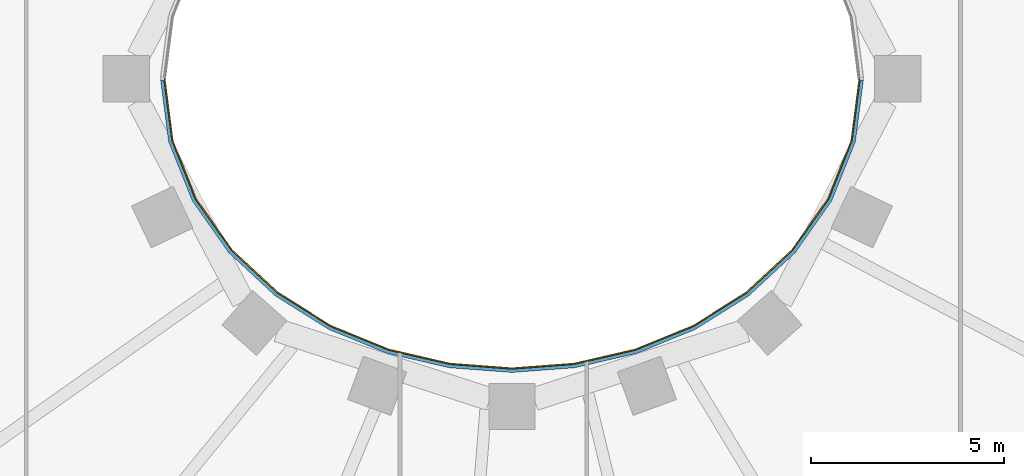
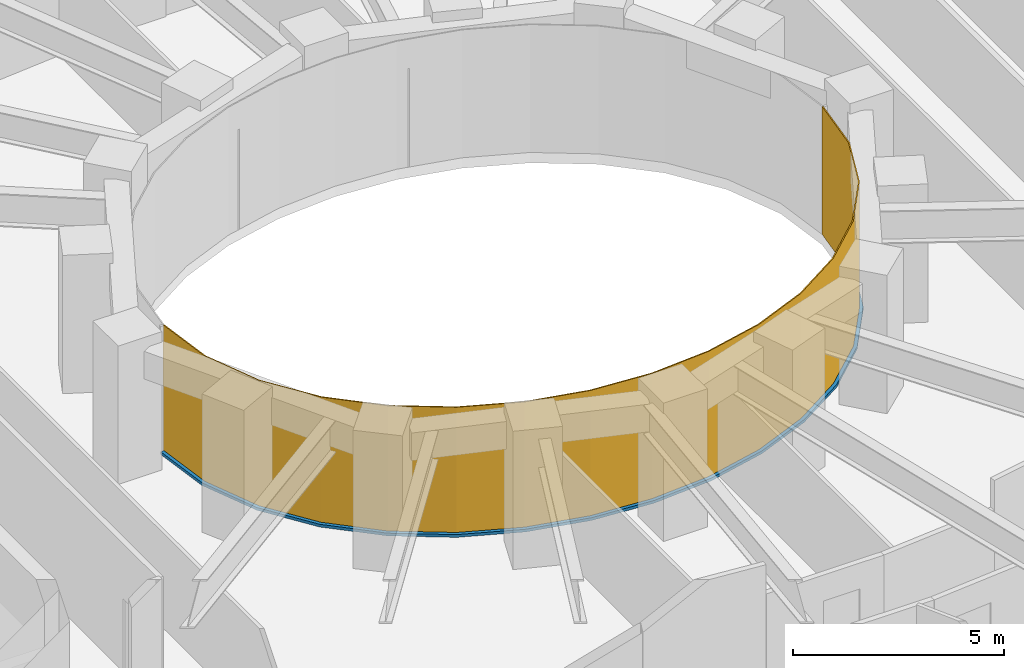
# One storey, part 11 of 17: 1 curtain wall, 1 member.
"""IFC4 building model written with IfcOpenShell, lengths in metres."""

from ifc_helpers import new_model, si_unit, direction, frame, origin, place, context, subcontext, project, spatial, polyline, outline, extrude, material, layer, layer_set, type_object, element, aggregate, save


model = new_model("IFC4")

# Units and contexts
model_context = context("Model", 3, precision=1e-05, world=origin(), true_north=direction((0.0, 1.0)))
body_context = subcontext(model_context, "Body", "Model", "MODEL_VIEW")
ifc_project = project(units=[si_unit("LENGTHUNIT", "METRE"), si_unit("AREAUNIT", "SQUARE_METRE"), si_unit("VOLUMEUNIT", "CUBIC_METRE"), si_unit("PLANEANGLEUNIT", "RADIAN"), si_unit("MASSUNIT", "GRAM", prefix="KILO")], contexts=[model_context])

# Member
ifc_material_1 = material(Name="Steel S355 fire-resisting frame", Category="steel")
member_type = type_object("IfcMemberType", Name="ENV-TRANSOM-W", PredefinedType="USERDEFINED", material=ifc_material_1)
site_placement = place(None, origin())
building_placement = place(site_placement, origin())
storey_placement = place(building_placement, frame((0.0, 0.0, 112.0)))
member_placement = place(storey_placement, origin())
member = element("IfcMember", 1, at=member_placement, type_object=member_type, Name="Transom W well 17-01", ObjectType="TRANSOM", PredefinedType="USERDEFINED", context=body_context, shape_type="SweptSolid", body=[
    extrude(outline(polyline([(-9.119384765625, -0.02783203125), (-8.910400390625, -1.63623046875), (-8.29833984375, -3.167236328125), (-7.35107421875, -4.5146484375), (-6.1455078125, -5.6337890625), (-4.75341796875, -6.50634765625), (-3.233642578125, -7.127685546875), (-1.635498046875, -7.498779296875), (0.0, -7.622314453125), (1.635498046875, -7.498779296875), (3.233642578125, -7.127685546875), (4.75341796875, -6.50634765625), (6.1455078125, -5.6337890625), (7.35107421875, -4.5146484375), (8.29833984375, -3.167236328125), (8.910400390625, -1.63623046875), (9.119384765625, -0.02783203125), (9.02880859375, -0.02783203125), (8.822509765625, -1.61328125), (8.21875, -3.124267578125), (7.282958984375, -4.455078125), (6.090576171875, -5.56201171875), (4.712158203125, -6.426025390625), (3.206298828125, -7.04150390625), (1.621826171875, -7.40966796875), (0.0, -7.531982421875), (-1.621826171875, -7.40966796875), (-3.206298828125, -7.04150390625), (-4.712158203125, -6.426025390625), (-6.090576171875, -5.56201171875), (-7.282958984375, -4.455078125), (-8.21875, -3.124267578125), (-8.822509765625, -1.61328125), (-9.02880859375, -0.02783203125), (-9.119384765625, -0.02783203125)])), origin(), (0.0, 0.0, 1.0), 0.080078125),
])

# Site, building, storey
site = spatial("IfcSite", under=ifc_project, at=site_placement, CompositionType="ELEMENT")
building = spatial("IfcBuilding", under=site, at=building_placement, Name="Noorbagh Ring Tower", CompositionType="ELEMENT")
storey = spatial("IfcBuildingStorey", under=building, at=storey_placement, Name="L25", CompositionType="ELEMENT", Elevation=112.0)

# Curtain wall
ifc_material_2 = material(Name="Glass fire-resisting E60 laminated", Category="glass")
ifc_layer = layer(ifc_material_2, 0.031982421875)
ifc_layer_set = layer_set([ifc_layer], Name="Glass fire-resisting E60 laminated")
curtain_wall_type = type_object("IfcCurtainWallType", Name="ENV-CW-W", PredefinedType="NOTDEFINED", material=ifc_layer_set)
curtain_wall_placement = place(storey_placement, origin())
curtain_wall = element("IfcCurtainWall", 2, at=curtain_wall_placement, inside=storey, type_object=curtain_wall_type, Name="Curtain wall W W17", PredefinedType="NOTDEFINED", context=body_context, shape_type="SweptSolid", body=[
    extrude(outline(polyline([(-9.0322265625, 0.0), (-8.822509765625, -1.61328125), (-8.21875, -3.124267578125), (-7.282958984375, -4.455078125), (-6.090576171875, -5.56201171875), (-4.712158203125, -6.426025390625), (-3.206298828125, -7.04150390625), (-1.621826171875, -7.40966796875), (0.0, -7.531982421875), (1.621826171875, -7.40966796875), (3.206298828125, -7.04150390625), (4.712158203125, -6.426025390625), (6.090576171875, -5.56201171875), (7.282958984375, -4.455078125), (8.21875, -3.124267578125), (8.822509765625, -1.61328125), (9.0322265625, 0.0), (9.0, 0.0), (8.79150390625, -1.605224609375), (8.1904296875, -3.10888671875), (7.2587890625, -4.43408203125), (6.071044921875, -5.53662109375), (4.697509765625, -6.3974609375), (3.196533203125, -7.010986328125), (1.6171875, -7.3779296875), (0.0, -7.5), (-1.6171875, -7.3779296875), (-3.196533203125, -7.010986328125), (-4.697509765625, -6.3974609375), (-6.071044921875, -5.53662109375), (-7.2587890625, -4.43408203125), (-8.1904296875, -3.10888671875), (-8.79150390625, -1.605224609375), (-9.0, 0.0), (-9.0322265625, 0.0)])), origin(), (0.0, 0.0, 1.0), 3.699951171875),
])

aggregate(curtain_wall, [member])

save(model, "model.ifc")
